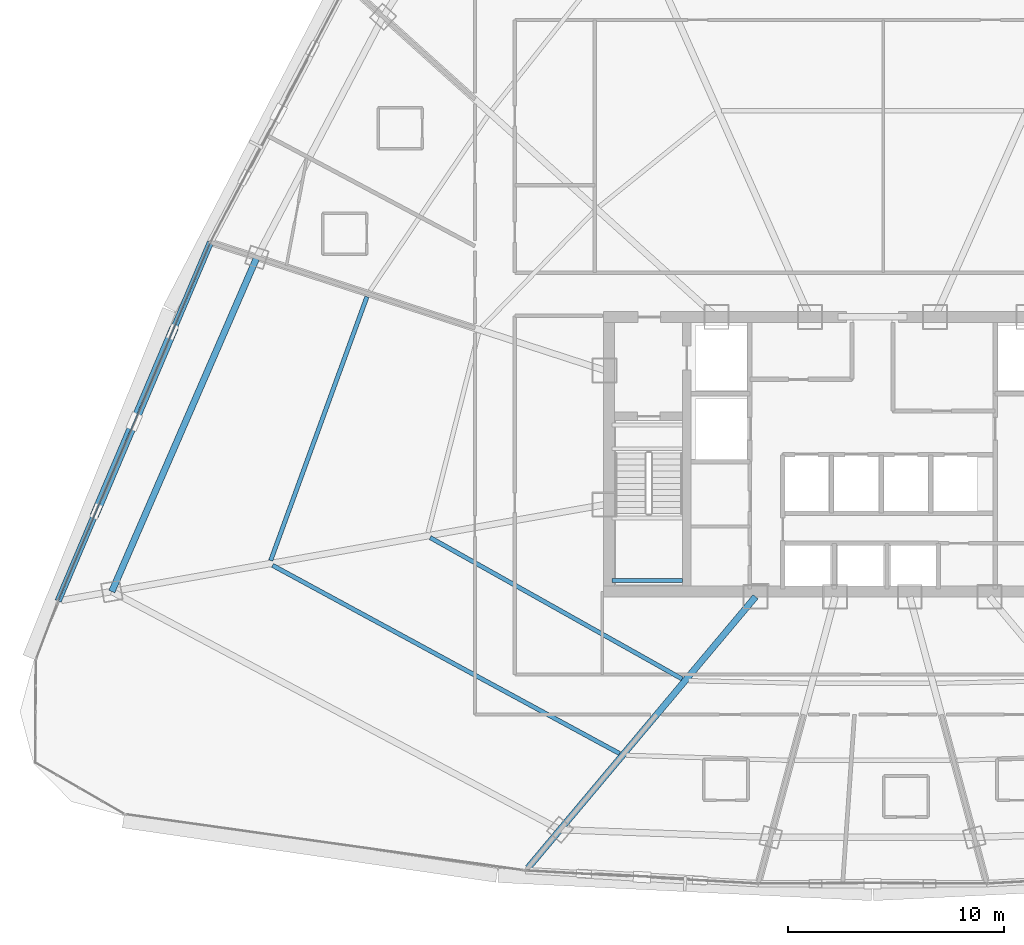
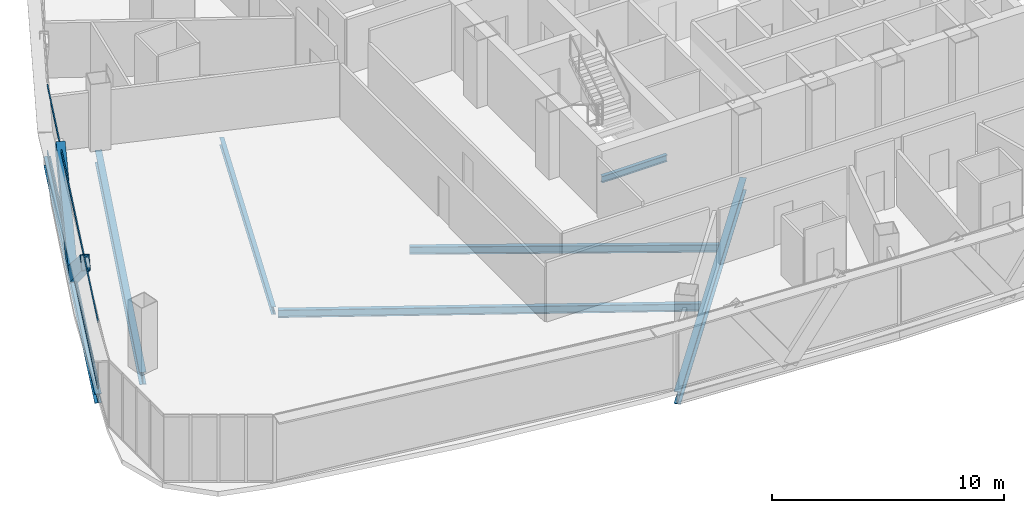
# One storey, part 7 of 40: 7 beams, 4 members, 1 element without a shape of its own.
"""IFC4 building model written with IfcOpenShell, lengths in metres."""

from ifc_helpers import new_model, si_unit, direction, frame, origin, origin_2d, place, context, subcontext, project, spatial, hollow_rectangle, i_section, extrude, source, transform, mapped, material, layer, layer_set, material_profile, profile_set, type_object, element, aggregate, save


model = new_model("IFC4")

# Units and contexts
model_context = context("Model", 3, precision=1e-05, world=origin(), true_north=direction((0.0, 1.0)))
body_context = subcontext(model_context, "Body", "Model", "MODEL_VIEW")
ifc_project = project(units=[si_unit("LENGTHUNIT", "METRE"), si_unit("AREAUNIT", "SQUARE_METRE"), si_unit("VOLUMEUNIT", "CUBIC_METRE"), si_unit("PLANEANGLEUNIT", "RADIAN"), si_unit("MASSUNIT", "GRAM", prefix="KILO"), si_unit("THERMODYNAMICTEMPERATUREUNIT", "KELVIN"), si_unit("POWERUNIT", "WATT")], contexts=[model_context])

# Site, building, storey
site_placement = place(None, origin())
site = spatial("IfcSite", under=ifc_project, at=site_placement, CompositionType="ELEMENT")
building_placement = place(site_placement, origin())
building = spatial("IfcBuilding", under=site, at=building_placement, Name="Yunzhuo Pagoda Commons", CompositionType="ELEMENT")
storey_placement = place(building_placement, frame((0.0, 0.0, 184.760009765625)))
storey = spatial("IfcBuildingStorey", under=building, at=storey_placement, Name="L46", CompositionType="ELEMENT", Elevation=184.760009765625)

# Beams
ifc_material_1 = material(Name="Structural steel Q355B", Category="steel")
ifc_material_profile_1 = material_profile(ifc_material_1, i_section(OverallWidth=0.175048828125, OverallDepth=0.35009765625, WebThickness=0.007080078125, FlangeThickness=0.010986328125, at=origin_2d()), Name="Structural steel Q355B")
ifc_profile_set_1 = profile_set([ifc_material_profile_1], Name="Structural steel Q355B")
beam_type_1 = type_object("IfcBeamType", Name="B-JS2 Joist HN 350x175x7x11", PredefinedType="JOIST", material=ifc_profile_set_1)
shared_shape_1 = source(origin(), body_context, "Body", "SweptSolid", [
    extrude(i_section(OverallWidth=0.175048828125, OverallDepth=0.35009765625, WebThickness=0.007080078125, FlangeThickness=0.010986328125, at=origin_2d()), origin(), (0.0, 0.0, 1.0), 3.25),
])
beam_1_placement = place(storey_placement, frame((35.949951171875, 28.0, 1.52490234375), z_axis=(1.0, 0.0, 0.0), x_axis=(0.0, 1.0, 0.0)))
element("IfcBeam", 1, at=beam_1_placement, inside=storey, type_object=beam_type_1, Name="L46 ST1 landing support beam 52A", PredefinedType="JOIST", context=body_context, shape_type="MappedRepresentation", body=[
    mapped(shared_shape_1, transform((0.0, 0.0, 0.0), scale=1.0)),
])
ifc_material_profile_2 = material_profile(ifc_material_1, i_section(OverallWidth=0.300048828125, OverallDepth=0.488037109375, WebThickness=0.010986328125, FlangeThickness=0.01806640625, at=origin_2d()), Name="Structural steel Q355B")
ifc_profile_set_2 = profile_set([ifc_material_profile_2], Name="Structural steel Q355B")
beam_type_2 = type_object("IfcBeamType", Name="B-SP1 Beam HM 488x300x11x18", PredefinedType="BEAM", material=ifc_profile_set_2)
shared_shape_2 = source(origin(), body_context, "Body", "SweptSolid", [
    extrude(i_section(OverallWidth=0.300048828125, OverallDepth=0.488037109375, WebThickness=0.010986328125, FlangeThickness=0.01806640625, at=origin_2d()), origin(), (0.0, 0.0, 1.0), 18.037353515625),
])
beam_2_placement = place(storey_placement, frame((17.355224609375, 43.6572265625, -0.503662109375), z_axis=(-0.390723291802, -0.920508179889, 0.0), x_axis=(0.920508179889, -0.390723291802, 0.0)))
element("IfcBeam", 2, at=beam_2_placement, inside=storey, type_object=beam_type_2, Name="L46 facade edge spandrel beam F3.3", PredefinedType="BEAM", context=body_context, shape_type="MappedRepresentation", body=[
    mapped(shared_shape_2, transform((0.0, 0.0, 0.0), scale=1.0)),
])
ifc_material_profile_3 = material_profile(ifc_material_1, i_section(OverallWidth=0.300048828125, OverallDepth=0.64990234375, WebThickness=0.012939453125, FlangeThickness=0.02197265625, at=origin_2d()), Name="Structural steel Q355B")
ifc_profile_set_3 = profile_set([ifc_material_profile_3], Name="Structural steel Q355B")
beam_type_3 = type_object("IfcBeamType", Name="B-RG2 Beam HN 650x300x13x22", PredefinedType="BEAM", material=ifc_profile_set_3)
shared_shape_3 = source(origin(), body_context, "Body", "SweptSolid", [
    extrude(i_section(OverallWidth=0.300048828125, OverallDepth=0.64990234375, WebThickness=0.012939453125, FlangeThickness=0.02197265625, at=origin_2d()), origin(), (0.0, 0.0, 1.0), 16.859619140625),
])
beam_3_placement = place(storey_placement, frame((19.50537109375, 42.95849609375, -0.5849609375), z_axis=(-0.398104384161, -0.917340121935, 0.0), x_axis=(0.917340121935, -0.398104384161, 0.0)))
element("IfcBeam", 3, at=beam_3_placement, inside=storey, type_object=beam_type_3, Name="L46 column-ring beam 11", PredefinedType="BEAM", context=body_context, shape_type="MappedRepresentation", body=[
    mapped(shared_shape_3, transform((0.0, 0.0, 0.0), scale=1.0)),
])
shared_shape_4 = source(origin(), body_context, "Body", "SweptSolid", [
    extrude(i_section(OverallWidth=0.300048828125, OverallDepth=0.64990234375, WebThickness=0.012939453125, FlangeThickness=0.02197265625, at=origin_2d()), origin(), (0.0, 0.0, 1.0), 16.390625),
])
beam_4_placement = place(storey_placement, frame((32.05224609375, 14.694091796875, -0.5849609375), z_axis=(0.642787129535, 0.766044846014, 0.0), x_axis=(-0.766044846014, 0.642787129535, 0.0)))
element("IfcBeam", 4, at=beam_4_placement, inside=storey, type_object=beam_type_3, Name="L46 radial floor girder F1C1", PredefinedType="BEAM", context=body_context, shape_type="MappedRepresentation", body=[
    mapped(shared_shape_4, transform((0.0, 0.0, 0.0), scale=1.0)),
])
ifc_material_profile_4 = material_profile(ifc_material_1, i_section(OverallWidth=0.199951171875, OverallDepth=0.39990234375, WebThickness=0.008056640625, FlangeThickness=0.012939453125, at=origin_2d()), Name="Structural steel Q355B")
ifc_profile_set_4 = profile_set([ifc_material_profile_4], Name="Structural steel Q355B")
beam_type_4 = type_object("IfcBeamType", Name="B-JS1 Joist HN 400x200x8x13", PredefinedType="JOIST", material=ifc_profile_set_4)
shared_shape_5 = source(origin(), body_context, "Body", "SweptSolid", [
    extrude(i_section(OverallWidth=0.199951171875, OverallDepth=0.39990234375, WebThickness=0.008056640625, FlangeThickness=0.012939453125, at=origin_2d()), origin(), (0.0, 0.0, 1.0), 13.372802734375),
])
beam_5_placement = place(storey_placement, frame((27.5283203125, 29.988037109375, -0.4599609375), z_axis=(0.872150261016, -0.4892381038, 0.0), x_axis=(0.4892381038, 0.872150261016, 0.0)))
element("IfcBeam", 5, at=beam_5_placement, inside=storey, type_object=beam_type_4, Name="L46 composite ring joist 1.12", PredefinedType="JOIST", context=body_context, shape_type="MappedRepresentation", body=[
    mapped(shared_shape_5, transform((0.0, 0.0, 0.0), scale=1.0)),
])
shared_shape_6 = source(origin(), body_context, "Body", "SweptSolid", [
    extrude(i_section(OverallWidth=0.199951171875, OverallDepth=0.39990234375, WebThickness=0.008056640625, FlangeThickness=0.012939453125, at=origin_2d()), origin(), (0.0, 0.0, 1.0), 18.27294921875),
])
beam_6_placement = place(storey_placement, frame((20.2314453125, 28.703125, -0.4599609375), z_axis=(0.879067821824, -0.476696721861, 0.0), x_axis=(0.476696721861, 0.879067821824, 0.0)))
element("IfcBeam", 6, at=beam_6_placement, inside=storey, type_object=beam_type_4, Name="L46 composite ring joist 2.12", PredefinedType="JOIST", context=body_context, shape_type="MappedRepresentation", body=[
    mapped(shared_shape_6, transform((0.0, 0.0, 0.0), scale=1.0)),
])
shared_shape_7 = source(origin(), body_context, "Body", "SweptSolid", [
    extrude(i_section(OverallWidth=0.199951171875, OverallDepth=0.39990234375, WebThickness=0.008056640625, FlangeThickness=0.012939453125, at=origin_2d()), origin(), (0.0, 0.0, 1.0), 12.994873046875),
])
beam_7_placement = place(storey_placement, frame((24.60107421875, 41.1357421875, -0.4599609375), z_axis=(-0.342834977914, -0.939395645039, 0.0), x_axis=(0.939395645039, -0.342834977914, 0.0)))
element("IfcBeam", 7, at=beam_7_placement, inside=storey, type_object=beam_type_4, Name="L46 composite ring joist 2.11", PredefinedType="JOIST", context=body_context, shape_type="MappedRepresentation", body=[
    mapped(shared_shape_7, transform((0.0, 0.0, 0.0), scale=1.0)),
])

# Members
ifc_material_profile_5 = material_profile(ifc_material_1, hollow_rectangle(XDim=0.39990234375, YDim=0.719970703125, WallThickness=0.02392578125, at=origin_2d()), Name="Structural steel Q355B")
ifc_profile_set_5 = profile_set([ifc_material_profile_5], Name="Structural steel Q355B")
member_type_1 = type_object("IfcMemberType", Name="M-DL2 Brace BOX 720x400x24", PredefinedType="BRACE", material=ifc_profile_set_5)
shared_shape_8 = source(origin(), body_context, "Body", "SweptSolid", [
    extrude(hollow_rectangle(XDim=0.39990234375, YDim=0.719970703125, WallThickness=0.02392578125, at=origin_2d()), origin(), (0.0, 0.0, 1.0), 5.89697265625),
])
for number, where, z_axis, x_axis, name in (
    (8, (13.831298828125, 35.35546875, -0.260009765625), (0.298751694523, 0.703904699318, 0.644411048399), (-0.92052278395, 0.390688884189, 0.0), "L46 facade diamond brace F3.3L"),
    (9, (13.831298828125, 35.35546875, -0.260009765625), (-0.298751694523, -0.703904699318, 0.644411048399), (0.92052278395, -0.390688884189, 0.0), "L46 facade diamond brace F3.3R"),
):
    element("IfcMember", number, at=place(storey_placement, frame(where, z_axis=z_axis, x_axis=x_axis)), inside=storey, type_object=member_type_1, Name=name, PredefinedType="BRACE", context=body_context, shape_type="MappedRepresentation", body=[
        mapped(shared_shape_8, transform((0.0, 0.0, 0.0), scale=1.0)),
    ])

# Curtain wall, members
ifc_material_2 = material(Name="Anodized aluminium 6063-T6", Category="aluminium")
ifc_layer = layer(ifc_material_2, 0.14990234375)
ifc_layer_set = layer_set([ifc_layer], Name="Anodized aluminium 6063-T6")
curtain_wall_type = type_object("IfcCurtainWallType", Name="CW-MID Mid-Zone Ribbon Curtain Wall", PredefinedType="NOTDEFINED", material=ifc_layer_set)
curtain_wall_placement = place(storey_placement, origin())
curtain_wall = element("IfcCurtainWall", 10, at=curtain_wall_placement, inside=storey, type_object=curtain_wall_type, Name="L46 curtain wall CW-L46-F3B4", PredefinedType="NOTDEFINED")
ifc_material_profile_6 = material_profile(ifc_material_2, hollow_rectangle(XDim=0.054931640625, YDim=0.1298828125, WallThickness=0.00341796875, at=origin_2d()), Name="Anodized aluminium 6063-T6")
ifc_profile_set_6 = profile_set([ifc_material_profile_6], Name="Anodized aluminium 6063-T6")
member_type_2 = type_object("IfcMemberType", Name="CW-MID-T Transom RHS 130x55x3.5", PredefinedType="USERDEFINED", material=ifc_profile_set_6)
shared_shape_9 = source(origin(), body_context, "Body", "SweptSolid", [
    extrude(hollow_rectangle(XDim=0.054931640625, YDim=0.1298828125, WallThickness=0.00341796875, at=origin_2d()), origin(), (0.0, 0.0, 1.0), 17.917236328125),
])
member_1_placement = place(storey_placement, frame((17.33154296875, 43.60205078125, 0.027587890625), z_axis=(-0.390715008081, -0.920511695993, 0.0), x_axis=(0.920511695993, -0.390715008081, 0.0)))
member_1 = element("IfcMember", 11, at=member_1_placement, type_object=member_type_2, Name="CW transom 1.1", ObjectType="TRANSOM", PredefinedType="USERDEFINED", context=body_context, shape_type="MappedRepresentation", body=[
    mapped(shared_shape_9, transform((0.0, 0.0, 0.0), scale=1.0)),
])
member_2_placement = place(storey_placement, frame((17.33154296875, 43.60205078125, 3.512451171875), z_axis=(-0.390715008081, -0.920511695993, 0.0), x_axis=(0.920511695993, -0.390715008081, 0.0)))
member_2 = element("IfcMember", 12, at=member_2_placement, type_object=member_type_2, Name="CW transom 1.2", ObjectType="TRANSOM", PredefinedType="USERDEFINED", context=body_context, shape_type="MappedRepresentation", body=[
    mapped(shared_shape_9, transform((0.0, 0.0, 0.0), scale=1.0)),
])
aggregate(curtain_wall, [member_1, member_2])

save(model, "model.ifc")
